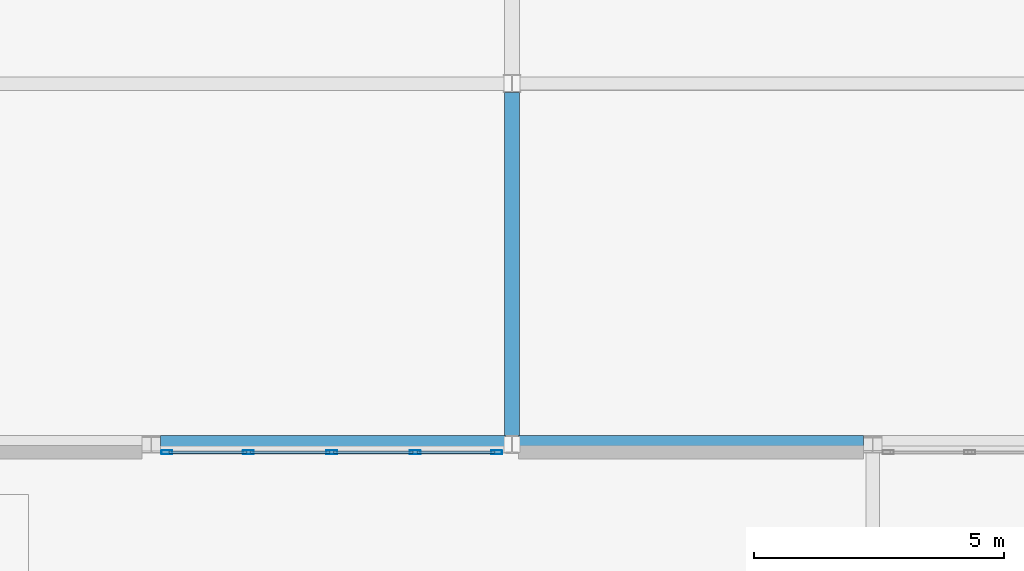
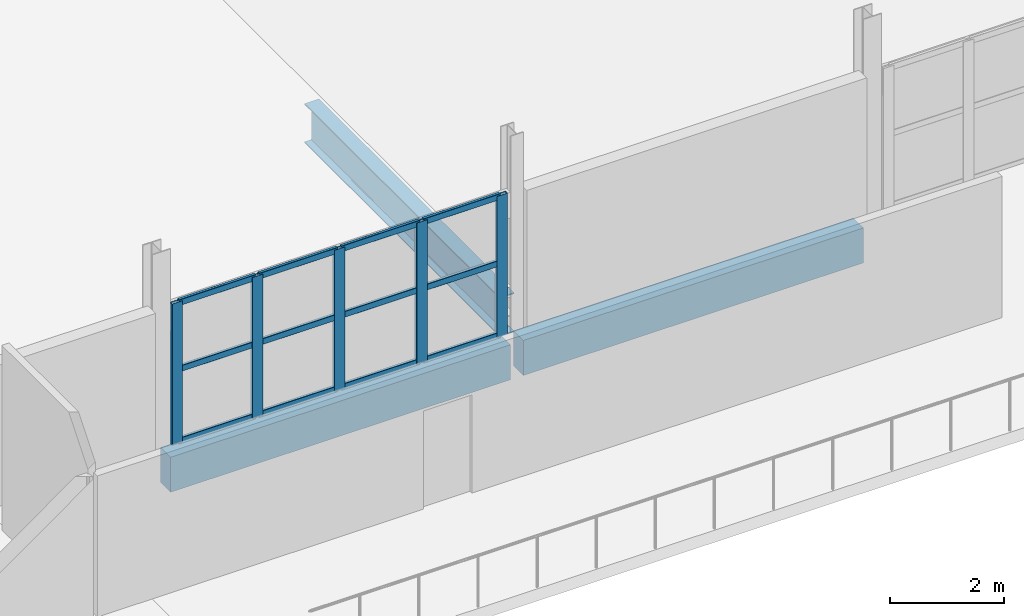
# One storey, part 54 of 94: 17 members, 3 beams, 1 element without a shape of its own.
"""IFC4 building model written with IfcOpenShell, lengths in metres."""

import ifcopenshell
import ifcopenshell.guid

model = None  # the IFC model being written
_history = None  # IfcOwnerHistory: only IFC2X3 demands one
_inside = {}  # id of a spatial element -> (the spatial element, [elements in it])
_under = {}  # id of a project, library or spatial element -> (it, [spatial elements below it])
_declared = {}  # id of a project -> (the project, [libraries it declares])
_typed = {}  # id of a type object -> (the type object, [elements of that type])
_made_of = {}  # id of a material, layer set ... -> (it, [elements and type objects made of it])


def new_model(schema):
    """Start an empty IFC model of exactly this schema.

    Asked for "IFC4X3", IfcOpenShell would pick the latest addendum, in which some entities
    have other attributes; the version numbers below select the first issue.
    IFC2X3 requires an IfcOwnerHistory on every rooted entity: one is made here for all.
    """
    global model, _history
    if schema == "IFC4X3":
        model = ifcopenshell.file(schema_version=(4, 3, 0, 0))
    else:
        model = ifcopenshell.file(schema=schema)
    _inside.clear()
    _under.clear()
    _declared.clear()
    _typed.clear()
    _made_of.clear()
    _history = None
    if model.schema == "IFC2X3":
        org = make("IfcOrganization", Name="unknown")
        user = make(
            "IfcPersonAndOrganization",
            ThePerson=make("IfcPerson", FamilyName="unknown"),
            TheOrganization=org,
        )
        app = make(
            "IfcApplication",
            ApplicationDeveloper=org,
            Version="unknown",
            ApplicationFullName="unknown",
            ApplicationIdentifier="unknown",
        )
        _history = make(
            "IfcOwnerHistory",
            OwningUser=user,
            OwningApplication=app,
            ChangeAction="ADDED",
            CreationDate=0,
        )
    return model


def make(cls, **values):
    """One entity of the class cls with the attributes given. An attribute that is None is left unset."""
    return model.create_entity(
        cls, **{name: value for name, value in values.items() if value is not None}
    )


def rooted(cls, **values):
    """An entity with a GlobalId (a new one), such as an element, a storey or a relation."""
    return make(cls, GlobalId=ifcopenshell.guid.new(), OwnerHistory=_history, **values)


def si_unit(unit_type, name, prefix=None):
    """IfcSIUnit, for example si_unit("LENGTHUNIT", "METRE", prefix="MILLI")."""
    return make("IfcSIUnit", UnitType=unit_type, Prefix=prefix, Name=name)


def assignment(units):
    """IfcUnitAssignment: the units of a project."""
    return None if units is None else make("IfcUnitAssignment", Units=units)


def point(xyz):
    """IfcCartesianPoint."""
    return None if xyz is None else make("IfcCartesianPoint", Coordinates=xyz)


def direction(xyz):
    """IfcDirection."""
    return None if xyz is None else make("IfcDirection", DirectionRatios=xyz)


def frame(location, z_axis=None, x_axis=None):
    """IfcAxis2Placement3D, a coordinate frame: its origin and axes. An axis left out is left unset."""
    return make(
        "IfcAxis2Placement3D",
        Location=point(location),
        Axis=direction(z_axis),
        RefDirection=direction(x_axis),
    )


def frame_2d(location, x_axis=None):
    """IfcAxis2Placement2D, a coordinate frame in the plane: its origin and x axis."""
    return make(
        "IfcAxis2Placement2D", Location=point(location), RefDirection=direction(x_axis)
    )


def origin():
    """The frame at (0, 0, 0) with its axes left unset."""
    return frame((0.0, 0.0, 0.0))


def origin_2d():
    """The frame at (0, 0) in the plane with its x axis left unset."""
    return frame_2d((0.0, 0.0))


def place(relative_to, where):
    """IfcLocalPlacement: puts the frame where relative to a parent placement (None: the world)."""
    return make(
        "IfcLocalPlacement", PlacementRelTo=relative_to, RelativePlacement=where
    )


def context(
    kind, dimensions, precision=None, world=None, true_north=None, identifier=None
):
    """IfcGeometricRepresentationContext, for example the 3D "Model" context."""
    return make(
        "IfcGeometricRepresentationContext",
        ContextIdentifier=identifier,
        ContextType=kind,
        CoordinateSpaceDimension=dimensions,
        Precision=precision,
        WorldCoordinateSystem=world,
        TrueNorth=true_north,
    )


def subcontext(parent, identifier, kind, view, scale=None):
    """IfcGeometricRepresentationSubContext, for example "Body" below "Model"."""
    return make(
        "IfcGeometricRepresentationSubContext",
        ContextIdentifier=identifier,
        ContextType=kind,
        ParentContext=parent,
        TargetScale=scale,
        TargetView=view,
    )


def project(units=None, contexts=None):
    """IfcProject with its units and contexts."""
    return rooted(
        "IfcProject",
        Name="project",
        RepresentationContexts=contexts,
        UnitsInContext=assignment(units),
    )


def spatial(cls, under=None, at=None, **own):
    """A site, building, storey or space (cls), placed at a placement, below another one or the project."""
    s = rooted(cls, ObjectPlacement=at, **own)
    if under is not None:
        _under.setdefault(under.id(), (under, []))[1].append(s)
    return s


def profile(cls, at=None, kind="AREA", **sizes):
    """A parametric profile (cls). Its sizes go by their IFC names, for example OverallWidth=200.0."""
    return make(cls, ProfileType=kind, Position=at, **sizes)


def rectangle(**sizes):
    """IfcRectangleProfileDef."""
    return profile("IfcRectangleProfileDef", **sizes)


def hollow_rectangle(**sizes):
    """IfcRectangleHollowProfileDef."""
    return profile("IfcRectangleHollowProfileDef", **sizes)


def i_section(**sizes):
    """IfcIShapeProfileDef."""
    return profile("IfcIShapeProfileDef", **sizes)


def extrude(swept, where, along, depth):
    """IfcExtrudedAreaSolid: the profile swept, set in the frame where, extruded along a direction by depth."""
    return make(
        "IfcExtrudedAreaSolid",
        SweptArea=swept,
        Position=where,
        ExtrudedDirection=direction(along),
        Depth=depth,
    )


def shape(context_of_items, identifier, shape_type, items):
    """IfcShapeRepresentation: the items that make up one representation, for example the "Body"."""
    return make(
        "IfcShapeRepresentation",
        ContextOfItems=context_of_items,
        RepresentationIdentifier=identifier,
        RepresentationType=shape_type,
        Items=items,
    )


def material(Name=None, Category=None):
    """IfcMaterial."""
    return make("IfcMaterial", Name=Name, Category=Category)


def material_profile(
    of_material, cross_section, Name=None, Category=None, Priority=None
):
    """IfcMaterialProfile: a cross section and its material."""
    return make(
        "IfcMaterialProfile",
        Name=Name,
        Material=of_material,
        Profile=cross_section,
        Priority=Priority,
        Category=Category,
    )


def profile_set(profiles, Name=None, composite=None):
    """IfcMaterialProfileSet."""
    return make(
        "IfcMaterialProfileSet",
        Name=Name,
        MaterialProfiles=profiles,
        CompositeProfile=composite,
    )


def made_of(thing, what):
    """Note that an element or type object is made of a material, layer set ...; save() writes the relation."""
    if what is not None:
        _made_of.setdefault(what.id(), (what, []))[1].append(thing)
    return thing


def type_object(cls, material=None, **own):
    """A type object (cls), such as IfcWallType, which elements share."""
    return made_of(rooted(cls, **own), material)


def element(
    cls,
    number,
    at=None,
    inside=None,
    cuts=None,
    type_object=None,
    material=None,
    context=None,
    identifier="Body",
    shape_type=None,
    held_by="IfcProductDefinitionShape",
    body=None,
    shapes=None,
    **own,
):
    """One element of the class cls, such as IfcWall. Its Tag is "e" and its number.

    at: its placement. inside: the storey or other place that contains it. cuts: it is an
    opening in that element (IfcRelVoidsElement). A single representation is given by context,
    identifier, shape_type and body (its items); several are given by shapes. held_by: the class
    of the entity that holds the representations. save() writes the other relations.
    """
    e = rooted(cls, Tag="e%d" % number, ObjectPlacement=at, **own)
    if body is not None:
        shapes = [shape(context, identifier, shape_type, body)]
    if shapes is not None:
        e.Representation = make(held_by, Representations=shapes)
    if inside is not None:
        _inside.setdefault(inside.id(), (inside, []))[1].append(e)
    if cuts is not None:
        rooted(
            "IfcRelVoidsElement", RelatingBuildingElement=cuts, RelatedOpeningElement=e
        )
    if type_object is not None:
        _typed.setdefault(type_object.id(), (type_object, []))[1].append(e)
    return made_of(e, material)


def aggregate(whole, parts):
    """IfcRelAggregates: a whole, such as a stair, and the parts it consists of."""
    return rooted("IfcRelAggregates", RelatingObject=whole, RelatedObjects=parts)


def save(model, path):
    """Write the relations noted so far, then the file.

    IfcRelAggregates (storeys below a building ...), IfcRelContainedInSpatialStructure (elements
    in a storey), IfcRelDefinesByType, IfcRelAssociatesMaterial and IfcRelDeclares: one each for
    every whole, place, type object, material and project.
    """
    for whole, parts in _under.values():
        aggregate(whole, parts)
    for where, things in _inside.values():
        rooted(
            "IfcRelContainedInSpatialStructure",
            RelatedElements=things,
            RelatingStructure=where,
        )
    for kind, things in _typed.values():
        rooted("IfcRelDefinesByType", RelatedObjects=things, RelatingType=kind)
    for what, things in _made_of.values():
        rooted("IfcRelAssociatesMaterial", RelatedObjects=things, RelatingMaterial=what)
    for by, libraries in _declared.values():
        rooted("IfcRelDeclares", RelatingContext=by, RelatedDefinitions=libraries)
    model.write(path)


model = new_model("IFC4")

# Units and contexts
model_context = context("Model", 3, precision=1e-05, world=origin(), true_north=direction((0.0, 1.0)))
body_context = subcontext(model_context, "Body", "Model", "MODEL_VIEW")
ifc_project = project(units=[si_unit("LENGTHUNIT", "METRE"), si_unit("AREAUNIT", "SQUARE_METRE"), si_unit("VOLUMEUNIT", "CUBIC_METRE"), si_unit("PLANEANGLEUNIT", "RADIAN"), si_unit("MASSUNIT", "GRAM", prefix="KILO")], contexts=[model_context])

# Site, building, storey
site_placement = place(None, origin())
site = spatial("IfcSite", under=ifc_project, at=site_placement, CompositionType="ELEMENT")
building_placement = place(site_placement, origin())
building = spatial("IfcBuilding", under=site, at=building_placement, Name="Kalmorath City Hall", CompositionType="ELEMENT")
storey_placement = place(building_placement, frame((0.0, 0.0, 14.699951171875)))
storey = spatial("IfcBuildingStorey", under=building, at=storey_placement, Name="L03", CompositionType="ELEMENT", Elevation=14.699951171875)

# Curtain wall, members
ifc_material_1 = material(Name="Anodised aluminium and laminated glass", Category="aluminium")
curtain_wall_type = type_object("IfcCurtainWallType", Name="Unitised hurricane curtain wall 6655x3022 M1850", PredefinedType="NOTDEFINED", material=ifc_material_1)
curtain_wall_placement = place(storey_placement, origin())
curtain_wall = element("IfcCurtainWall", 1, at=curtain_wall_placement, inside=storey, type_object=curtain_wall_type, Name="L03 curtain wall CW-67X30M18 #161", PredefinedType="NOTDEFINED")
ifc_material_2 = material(Name="Anodised aluminium framing", Category="aluminium")
ifc_material_profile_1 = material_profile(ifc_material_2, hollow_rectangle(XDim=0.06005859375, YDim=0.1298828125, WallThickness=0.00341796875, InnerFilletRadius=0.00341796875, OuterFilletRadius=0.007080078125, at=origin_2d()), Name="ALU-TRN-130X60X3.5")
ifc_profile_set_1 = profile_set([ifc_material_profile_1], Name="Anodised aluminium framing")
member_type_1 = type_object("IfcMemberType", Name="Curtain-wall courtyard transom 130x60", PredefinedType="USERDEFINED", material=ifc_profile_set_1)
member_1_placement = place(storey_placement, frame((144.349609375, 43.0400390625, 0.030029296875), z_axis=(1.0, 0.0, 0.0), x_axis=(0.0, 1.0, 0.0)))
member_1 = element("IfcMember", 2, at=member_1_placement, type_object=member_type_1, Name="CW-67X30M18 transom 1.1", ObjectType="TRANSOM", PredefinedType="USERDEFINED", context=body_context, shape_type="SweptSolid", body=[
    extrude(hollow_rectangle(XDim=0.06005859375, YDim=0.1298828125, WallThickness=0.00341796875, InnerFilletRadius=0.00341796875, OuterFilletRadius=0.007080078125, at=origin_2d()), origin(), (0.0, 0.0, 1.0), 1.55126953125),
])
member_2_placement = place(storey_placement, frame((144.349609375, 43.0400390625, 1.571044921875), z_axis=(1.0, 0.0, 0.0), x_axis=(0.0, 1.0, 0.0)))
member_2 = element("IfcMember", 3, at=member_2_placement, type_object=member_type_1, Name="CW-67X30M18 transom 1.2", ObjectType="TRANSOM", PredefinedType="USERDEFINED", context=body_context, shape_type="SweptSolid", body=[
    extrude(hollow_rectangle(XDim=0.06005859375, YDim=0.1298828125, WallThickness=0.00341796875, InnerFilletRadius=0.00341796875, OuterFilletRadius=0.007080078125, at=origin_2d()), origin(), (0.0, 0.0, 1.0), 1.55126953125),
])
member_3_placement = place(storey_placement, frame((144.349609375, 43.0400390625, 2.991943359375), z_axis=(1.0, 0.0, 0.0), x_axis=(0.0, 1.0, 0.0)))
member_3 = element("IfcMember", 4, at=member_3_placement, type_object=member_type_1, Name="CW-67X30M18 transom 1.3", ObjectType="TRANSOM", PredefinedType="USERDEFINED", context=body_context, shape_type="SweptSolid", body=[
    extrude(hollow_rectangle(XDim=0.06005859375, YDim=0.1298828125, WallThickness=0.00341796875, InnerFilletRadius=0.00341796875, OuterFilletRadius=0.007080078125, at=origin_2d()), origin(), (0.0, 0.0, 1.0), 1.55126953125),
])
member_4_placement = place(storey_placement, frame((145.975830078125, 43.0400390625, 0.030029296875), z_axis=(1.0, 0.0, 0.0), x_axis=(0.0, 1.0, 0.0)))
member_4 = element("IfcMember", 5, at=member_4_placement, type_object=member_type_1, Name="CW-67X30M18 transom 2.1", ObjectType="TRANSOM", PredefinedType="USERDEFINED", context=body_context, shape_type="SweptSolid", body=[
    extrude(hollow_rectangle(XDim=0.06005859375, YDim=0.1298828125, WallThickness=0.00341796875, InnerFilletRadius=0.00341796875, OuterFilletRadius=0.007080078125, at=origin_2d()), origin(), (0.0, 0.0, 1.0), 1.5888671875),
])
member_5_placement = place(storey_placement, frame((145.975830078125, 43.0400390625, 1.571044921875), z_axis=(1.0, 0.0, 0.0), x_axis=(0.0, 1.0, 0.0)))
member_5 = element("IfcMember", 6, at=member_5_placement, type_object=member_type_1, Name="CW-67X30M18 transom 2.2", ObjectType="TRANSOM", PredefinedType="USERDEFINED", context=body_context, shape_type="SweptSolid", body=[
    extrude(hollow_rectangle(XDim=0.06005859375, YDim=0.1298828125, WallThickness=0.00341796875, InnerFilletRadius=0.00341796875, OuterFilletRadius=0.007080078125, at=origin_2d()), origin(), (0.0, 0.0, 1.0), 1.5888671875),
])
member_6_placement = place(storey_placement, frame((145.975830078125, 43.0400390625, 2.991943359375), z_axis=(1.0, 0.0, 0.0), x_axis=(0.0, 1.0, 0.0)))
member_6 = element("IfcMember", 7, at=member_6_placement, type_object=member_type_1, Name="CW-67X30M18 transom 2.3", ObjectType="TRANSOM", PredefinedType="USERDEFINED", context=body_context, shape_type="SweptSolid", body=[
    extrude(hollow_rectangle(XDim=0.06005859375, YDim=0.1298828125, WallThickness=0.00341796875, InnerFilletRadius=0.00341796875, OuterFilletRadius=0.007080078125, at=origin_2d()), origin(), (0.0, 0.0, 1.0), 1.5888671875),
])
member_7_placement = place(storey_placement, frame((147.6396484375, 43.0400390625, 0.030029296875), z_axis=(1.0, 0.0, 0.0), x_axis=(0.0, 1.0, 0.0)))
member_7 = element("IfcMember", 8, at=member_7_placement, type_object=member_type_1, Name="CW-67X30M18 transom 3.1", ObjectType="TRANSOM", PredefinedType="USERDEFINED", context=body_context, shape_type="SweptSolid", body=[
    extrude(hollow_rectangle(XDim=0.06005859375, YDim=0.1298828125, WallThickness=0.00341796875, InnerFilletRadius=0.00341796875, OuterFilletRadius=0.007080078125, at=origin_2d()), origin(), (0.0, 0.0, 1.0), 1.5888671875),
])
member_8_placement = place(storey_placement, frame((147.6396484375, 43.0400390625, 1.571044921875), z_axis=(1.0, 0.0, 0.0), x_axis=(0.0, 1.0, 0.0)))
member_8 = element("IfcMember", 9, at=member_8_placement, type_object=member_type_1, Name="CW-67X30M18 transom 3.2", ObjectType="TRANSOM", PredefinedType="USERDEFINED", context=body_context, shape_type="SweptSolid", body=[
    extrude(hollow_rectangle(XDim=0.06005859375, YDim=0.1298828125, WallThickness=0.00341796875, InnerFilletRadius=0.00341796875, OuterFilletRadius=0.007080078125, at=origin_2d()), origin(), (0.0, 0.0, 1.0), 1.5888671875),
])
member_9_placement = place(storey_placement, frame((147.6396484375, 43.0400390625, 2.991943359375), z_axis=(1.0, 0.0, 0.0), x_axis=(0.0, 1.0, 0.0)))
member_9 = element("IfcMember", 10, at=member_9_placement, type_object=member_type_1, Name="CW-67X30M18 transom 3.3", ObjectType="TRANSOM", PredefinedType="USERDEFINED", context=body_context, shape_type="SweptSolid", body=[
    extrude(hollow_rectangle(XDim=0.06005859375, YDim=0.1298828125, WallThickness=0.00341796875, InnerFilletRadius=0.00341796875, OuterFilletRadius=0.007080078125, at=origin_2d()), origin(), (0.0, 0.0, 1.0), 1.5888671875),
])
member_10_placement = place(storey_placement, frame((149.3037109375, 43.0400390625, 0.030029296875), z_axis=(1.0, 0.0, 0.0), x_axis=(0.0, 1.0, 0.0)))
member_10 = element("IfcMember", 11, at=member_10_placement, type_object=member_type_1, Name="CW-67X30M18 transom 4.1", ObjectType="TRANSOM", PredefinedType="USERDEFINED", context=body_context, shape_type="SweptSolid", body=[
    extrude(hollow_rectangle(XDim=0.06005859375, YDim=0.1298828125, WallThickness=0.00341796875, InnerFilletRadius=0.00341796875, OuterFilletRadius=0.007080078125, at=origin_2d()), origin(), (0.0, 0.0, 1.0), 1.55126953125),
])
member_11_placement = place(storey_placement, frame((149.3037109375, 43.0400390625, 1.571044921875), z_axis=(1.0, 0.0, 0.0), x_axis=(0.0, 1.0, 0.0)))
member_11 = element("IfcMember", 12, at=member_11_placement, type_object=member_type_1, Name="CW-67X30M18 transom 4.2", ObjectType="TRANSOM", PredefinedType="USERDEFINED", context=body_context, shape_type="SweptSolid", body=[
    extrude(hollow_rectangle(XDim=0.06005859375, YDim=0.1298828125, WallThickness=0.00341796875, InnerFilletRadius=0.00341796875, OuterFilletRadius=0.007080078125, at=origin_2d()), origin(), (0.0, 0.0, 1.0), 1.55126953125),
])
member_12_placement = place(storey_placement, frame((149.3037109375, 43.0400390625, 2.991943359375), z_axis=(1.0, 0.0, 0.0), x_axis=(0.0, 1.0, 0.0)))
member_12 = element("IfcMember", 13, at=member_12_placement, type_object=member_type_1, Name="CW-67X30M18 transom 4.3", ObjectType="TRANSOM", PredefinedType="USERDEFINED", context=body_context, shape_type="SweptSolid", body=[
    extrude(hollow_rectangle(XDim=0.06005859375, YDim=0.1298828125, WallThickness=0.00341796875, InnerFilletRadius=0.00341796875, OuterFilletRadius=0.007080078125, at=origin_2d()), origin(), (0.0, 0.0, 1.0), 1.55126953125),
])
ifc_material_3 = material(Name="Anodised aluminium framing", Category="aluminium")
ifc_material_profile_2 = material_profile(ifc_material_3, hollow_rectangle(XDim=0.074951171875, YDim=0.219970703125, WallThickness=0.00390625, InnerFilletRadius=0.00390625, OuterFilletRadius=0.008056640625, at=origin_2d()), Name="ALU-MUL-220X75X4")
ifc_profile_set_2 = profile_set([ifc_material_profile_2], Name="Anodised aluminium framing")
member_type_2 = type_object("IfcMemberType", Name="Curtain-wall primary mullion 220x75", PredefinedType="MULLION", material=ifc_profile_set_2)
member_13_placement = place(storey_placement, frame((144.31201171875, 43.0400390625, 0.0), z_axis=(0.0, 0.0, 1.0), x_axis=(0.0, 1.0, 0.0)))
member_13 = element("IfcMember", 14, at=member_13_placement, type_object=member_type_2, Name="CW-67X30M18 mullion 1", PredefinedType="MULLION", context=body_context, shape_type="SweptSolid", body=[
    extrude(hollow_rectangle(XDim=0.074951171875, YDim=0.219970703125, WallThickness=0.00390625, InnerFilletRadius=0.00390625, OuterFilletRadius=0.008056640625, at=origin_2d()), origin(), (0.0, 0.0, 1.0), 3.02197265625),
])
member_14_placement = place(storey_placement, frame((145.9384765625, 43.0400390625, 0.0), z_axis=(0.0, 0.0, 1.0), x_axis=(0.0, 1.0, 0.0)))
member_14 = element("IfcMember", 15, at=member_14_placement, type_object=member_type_2, Name="CW-67X30M18 mullion 2", PredefinedType="MULLION", context=body_context, shape_type="SweptSolid", body=[
    extrude(hollow_rectangle(XDim=0.074951171875, YDim=0.219970703125, WallThickness=0.00390625, InnerFilletRadius=0.00390625, OuterFilletRadius=0.008056640625, at=origin_2d()), origin(), (0.0, 0.0, 1.0), 3.02197265625),
])
member_15_placement = place(storey_placement, frame((147.602294921875, 43.0400390625, 0.0), z_axis=(0.0, 0.0, 1.0), x_axis=(0.0, 1.0, 0.0)))
member_15 = element("IfcMember", 16, at=member_15_placement, type_object=member_type_2, Name="CW-67X30M18 mullion 3", PredefinedType="MULLION", context=body_context, shape_type="SweptSolid", body=[
    extrude(hollow_rectangle(XDim=0.074951171875, YDim=0.219970703125, WallThickness=0.00390625, InnerFilletRadius=0.00390625, OuterFilletRadius=0.008056640625, at=origin_2d()), origin(), (0.0, 0.0, 1.0), 3.02197265625),
])
member_16_placement = place(storey_placement, frame((149.26611328125, 43.0400390625, 0.0), z_axis=(0.0, 0.0, 1.0), x_axis=(0.0, 1.0, 0.0)))
member_16 = element("IfcMember", 17, at=member_16_placement, type_object=member_type_2, Name="CW-67X30M18 mullion 4", PredefinedType="MULLION", context=body_context, shape_type="SweptSolid", body=[
    extrude(hollow_rectangle(XDim=0.074951171875, YDim=0.219970703125, WallThickness=0.00390625, InnerFilletRadius=0.00390625, OuterFilletRadius=0.008056640625, at=origin_2d()), origin(), (0.0, 0.0, 1.0), 3.02197265625),
])
member_17_placement = place(storey_placement, frame((150.892578125, 43.0400390625, 0.0), z_axis=(0.0, 0.0, 1.0), x_axis=(0.0, 1.0, 0.0)))
member_17 = element("IfcMember", 18, at=member_17_placement, type_object=member_type_2, Name="CW-67X30M18 mullion 5", PredefinedType="MULLION", context=body_context, shape_type="SweptSolid", body=[
    extrude(hollow_rectangle(XDim=0.074951171875, YDim=0.219970703125, WallThickness=0.00390625, InnerFilletRadius=0.00390625, OuterFilletRadius=0.008056640625, at=origin_2d()), origin(), (0.0, 0.0, 1.0), 3.02197265625),
])
aggregate(curtain_wall, [member_13, member_14, member_15, member_16, member_17, member_1, member_2, member_3, member_4, member_5, member_6, member_7, member_8, member_9, member_10, member_11, member_12])

# Beams
ifc_material_4 = material(Name="Precast concrete C40/50", Category="concrete")
ifc_material_profile_3 = material_profile(ifc_material_4, rectangle(XDim=0.35009765625, YDim=0.75, at=origin_2d()), Name="PC-SP-350X750")
ifc_profile_set_3 = profile_set([ifc_material_profile_3], Name="Precast concrete C40/50")
beam_type_1 = type_object("IfcBeamType", Name="Precast spandrel lintel 350x750", PredefinedType="LINTEL", material=ifc_profile_set_3)
beam_1_placement = place(storey_placement, frame((144.1845703125, 43.199951171875, -0.638916015625), z_axis=(1.0, 0.0, 0.0), x_axis=(0.0, 1.0, 0.0)))
element("IfcBeam", 19, at=beam_1_placement, inside=storey, type_object=beam_type_1, Name="L03 girder PSB1 X21-22/7", PredefinedType="LINTEL", context=body_context, shape_type="SweptSolid", body=[
    extrude(rectangle(XDim=0.35009765625, YDim=0.75, at=origin_2d()), origin(), (0.0, 0.0, 1.0), 6.887451171875),
])
beam_2_placement = place(storey_placement, frame((151.327880859375, 43.199951171875, -0.638916015625), z_axis=(1.0, 0.0, 0.0), x_axis=(0.0, 1.0, 0.0)))
element("IfcBeam", 20, at=beam_2_placement, inside=storey, type_object=beam_type_1, Name="L03 girder PSB1 X22-23/7", PredefinedType="LINTEL", context=body_context, shape_type="SweptSolid", body=[
    extrude(rectangle(XDim=0.35009765625, YDim=0.75, at=origin_2d()), origin(), (0.0, 0.0, 1.0), 6.8876953125),
])
ifc_material_5 = material(Name="Steel ASTM A992 Grade 50", Category="steel")
ifc_material_profile_4 = material_profile(ifc_material_5, i_section(OverallWidth=0.2919921875, OverallDepth=0.841064453125, WebThickness=0.0146484375, FlangeThickness=0.021728515625, FilletRadius=0.02197265625, at=origin_2d()), Name="W33X130")
ifc_profile_set_4 = profile_set([ifc_material_profile_4], Name="Steel ASTM A992 Grade 50")
beam_type_2 = type_object("IfcBeamType", Name="Steel primary girder W33X130", PredefinedType="BEAM", material=ifc_profile_set_4)
beam_3_placement = place(storey_placement, frame((151.199951171875, 43.375, 0.1201171875), z_axis=(0.0, 1.0, 0.0), x_axis=(-1.0, 0.0, 0.0)))
element("IfcBeam", 21, at=beam_3_placement, inside=storey, type_object=beam_type_2, Name="Library butterfly valley girder SG2-1", PredefinedType="BEAM", context=body_context, shape_type="SweptSolid", body=[
    extrude(i_section(OverallWidth=0.2919921875, OverallDepth=0.841064453125, WebThickness=0.0146484375, FlangeThickness=0.021728515625, FilletRadius=0.02197265625, at=origin_2d()), origin(), (0.0, 0.0, 1.0), 6.85009765625),
])

save(model, "model.ifc")
